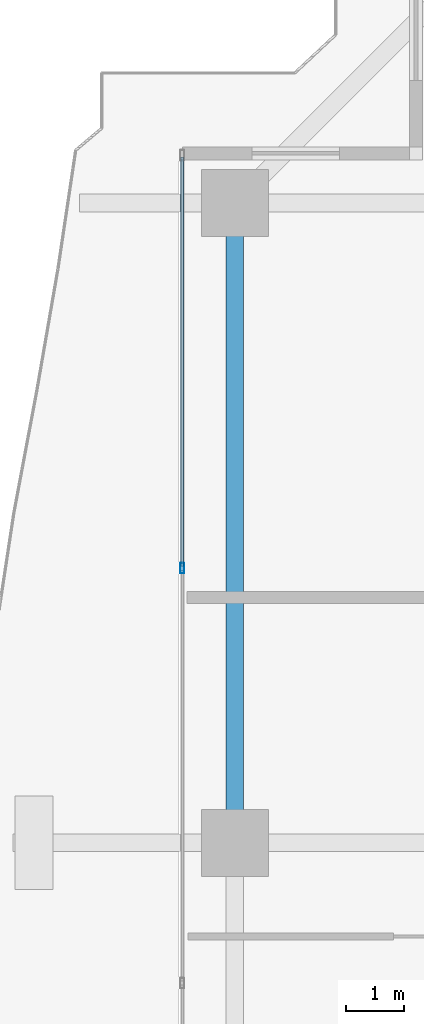
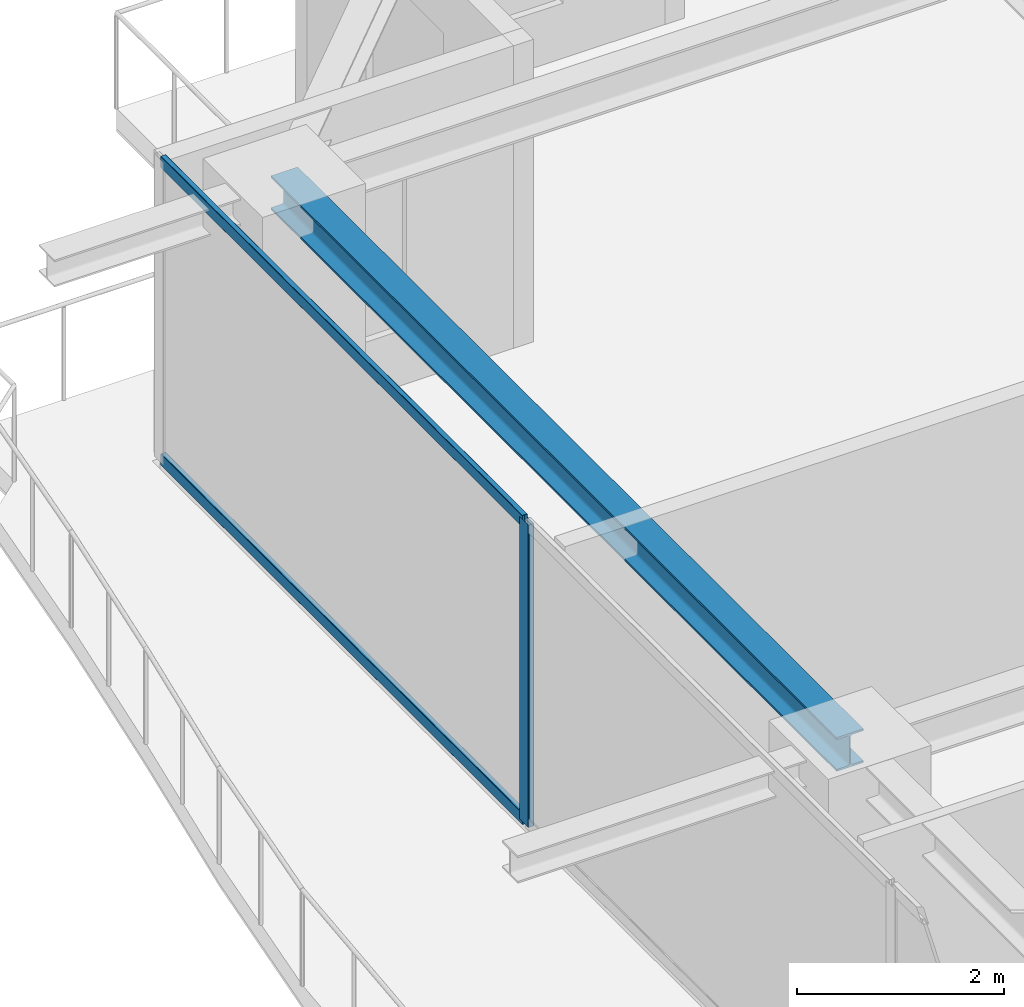
# One storey, part 17 of 38: 3 members, 1 beam, 1 element without a shape of its own.
"""IFC4 building model written with IfcOpenShell, lengths in metres."""

from ifc_helpers import new_model, si_unit, direction, frame, origin, origin_2d, place, context, subcontext, project, spatial, hollow_rectangle, i_section, extrude, source, transform, mapped, material, layer, layer_set, material_profile, profile_set, type_object, element, aggregate, save


model = new_model("IFC4")

# Units and contexts
model_context = context("Model", 3, precision=1e-05, world=origin(), true_north=direction((0.0, 1.0)))
body_context = subcontext(model_context, "Body", "Model", "MODEL_VIEW")
ifc_project = project(units=[si_unit("LENGTHUNIT", "METRE"), si_unit("AREAUNIT", "SQUARE_METRE"), si_unit("VOLUMEUNIT", "CUBIC_METRE"), si_unit("PLANEANGLEUNIT", "RADIAN"), si_unit("MASSUNIT", "GRAM", prefix="KILO")], contexts=[model_context])

# Site, building, storey
site_placement = place(None, origin())
site = spatial("IfcSite", under=ifc_project, at=site_placement, CompositionType="ELEMENT")
building_placement = place(site_placement, origin())
building = spatial("IfcBuilding", under=site, at=building_placement, Name="Serunith Strait Residences", CompositionType="ELEMENT")
storey_placement = place(building_placement, frame((0.0, 0.0, 268.199951171875)))
storey = spatial("IfcBuildingStorey", under=building, at=storey_placement, Name="L67", CompositionType="ELEMENT", Elevation=268.199951171875)

# Beam
ifc_material_1 = material(Name="Steel S355J2", Category="steel")
ifc_material_profile_1 = material_profile(ifc_material_1, i_section(OverallWidth=0.300048828125, OverallDepth=0.39990234375, WebThickness=0.013427734375, FlangeThickness=0.02392578125, FilletRadius=0.027099609375, at=origin_2d()), Name="HEB 400")
ifc_profile_set_1 = profile_set([ifc_material_profile_1], Name="Steel S355J2")
beam_type = type_object("IfcBeamType", Name="BM-HEB400", PredefinedType="BEAM", material=ifc_profile_set_1)
shared_shape_1 = source(origin(), body_context, "Body", "SweptSolid", [
    extrude(i_section(OverallWidth=0.300048828125, OverallDepth=0.39990234375, WebThickness=0.013427734375, FlangeThickness=0.02392578125, FilletRadius=0.027099609375, at=origin_2d()), origin(), (0.0, 0.0, 1.0), 10.9501953125),
])
beam_placement = place(storey_placement, frame((8.300048828125, 40.35009765625, 3.386962890625), z_axis=(0.0, -1.0, 0.0), x_axis=(1.0, 0.0, 0.0)))
element("IfcBeam", 1, at=beam_placement, inside=storey, type_object=beam_type, Name="L67 Perimeter Ring Beam 13", PredefinedType="BEAM", context=body_context, shape_type="MappedRepresentation", body=[
    mapped(shared_shape_1, transform((0.0, 0.0, 0.0), scale=1.0)),
])

# Curtain wall, members
ifc_material_2 = material(Name="Pale-Champagne Anodised Aluminium", Category="aluminium")
ifc_layer = layer(ifc_material_2, 0.199951171875, Name="Pale-Champagne Anodised Aluminium")
ifc_layer_set = layer_set([ifc_layer], Name="Pale-Champagne Anodised Aluminium")
curtain_wall_type = type_object("IfcCurtainWallType", Name="CW-SYS4", PredefinedType="NOTDEFINED", material=ifc_layer_set)
curtain_wall_placement = place(storey_placement, origin())
curtain_wall = element("IfcCurtainWall", 2, at=curtain_wall_placement, inside=storey, type_object=curtain_wall_type, Name="L67 W Unitised Fritted Curtain Wall", PredefinedType="NOTDEFINED")
ifc_material_profile_2 = material_profile(ifc_material_2, hollow_rectangle(XDim=0.06494140625, YDim=0.179931640625, WallThickness=0.00341796875, InnerFilletRadius=0.00537109375, OuterFilletRadius=0.0087890625, at=origin_2d()), Name="ALU 180x65x3.5")
ifc_profile_set_2 = profile_set([ifc_material_profile_2], Name="Pale-Champagne Anodised Aluminium")
member_type_1 = type_object("IfcMemberType", Name="CW-SYS4-MULL", PredefinedType="MULLION", material=ifc_profile_set_2)
shared_shape_2 = source(origin(), body_context, "Body", "SweptSolid", [
    extrude(hollow_rectangle(XDim=0.06494140625, YDim=0.179931640625, WallThickness=0.00341796875, InnerFilletRadius=0.00537109375, OuterFilletRadius=0.0087890625, at=origin_2d()), origin(), (0.0, 0.0, 1.0), 3.574951171875),
])
member_1_placement = place(storey_placement, frame((7.39990234375, 34.10009765625, 0.0), z_axis=(0.0, 0.0, 1.0), x_axis=(1.0, 0.0, 0.0)))
member_1 = element("IfcMember", 3, at=member_1_placement, type_object=member_type_1, Name="CW-4 mullion 2", PredefinedType="MULLION", context=body_context, shape_type="MappedRepresentation", body=[
    mapped(shared_shape_2, transform((0.0, 0.0, 0.0), scale=1.0)),
])
ifc_material_profile_3 = material_profile(ifc_material_2, hollow_rectangle(XDim=0.06005859375, YDim=0.139892578125, WallThickness=0.00341796875, InnerFilletRadius=0.00537109375, OuterFilletRadius=0.0087890625, at=origin_2d()), Name="ALU 140x60x3.5")
ifc_profile_set_3 = profile_set([ifc_material_profile_3], Name="Pale-Champagne Anodised Aluminium")
member_type_2 = type_object("IfcMemberType", Name="CW-SYS4-TRAN", PredefinedType="USERDEFINED", material=ifc_profile_set_3)
shared_shape_3 = source(origin(), body_context, "Body", "SweptSolid", [
    extrude(hollow_rectangle(XDim=0.06005859375, YDim=0.139892578125, WallThickness=0.00341796875, InnerFilletRadius=0.00537109375, OuterFilletRadius=0.0087890625, at=origin_2d()), origin(), (0.0, 0.0, 1.0), 7.00244140625),
])
member_2_placement = place(storey_placement, frame((7.39990234375, 41.135009765625, 0.030029296875), z_axis=(0.0, -1.0, 0.0), x_axis=(1.0, 0.0, 0.0)))
member_2 = element("IfcMember", 4, at=member_2_placement, type_object=member_type_2, Name="CW-4 transom 1.1", ObjectType="TRANSOM", PredefinedType="USERDEFINED", context=body_context, shape_type="MappedRepresentation", body=[
    mapped(shared_shape_3, transform((0.0, 0.0, 0.0), scale=1.0)),
])
member_3_placement = place(storey_placement, frame((7.39990234375, 41.135009765625, 3.545166015625), z_axis=(0.0, -1.0, 0.0), x_axis=(1.0, 0.0, 0.0)))
member_3 = element("IfcMember", 5, at=member_3_placement, type_object=member_type_2, Name="CW-4 transom 1.2", ObjectType="TRANSOM", PredefinedType="USERDEFINED", context=body_context, shape_type="MappedRepresentation", body=[
    mapped(shared_shape_3, transform((0.0, 0.0, 0.0), scale=1.0)),
])
aggregate(curtain_wall, [member_1, member_2, member_3])

save(model, "model.ifc")
